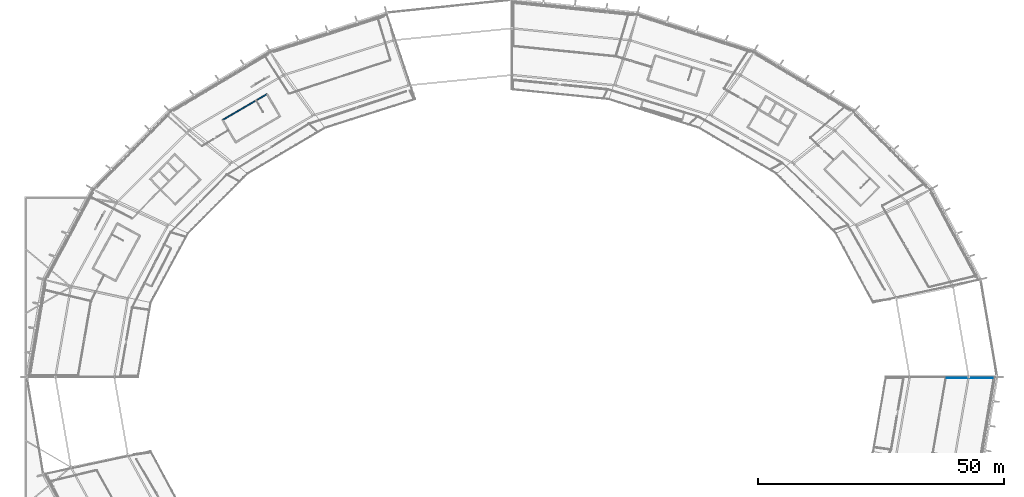
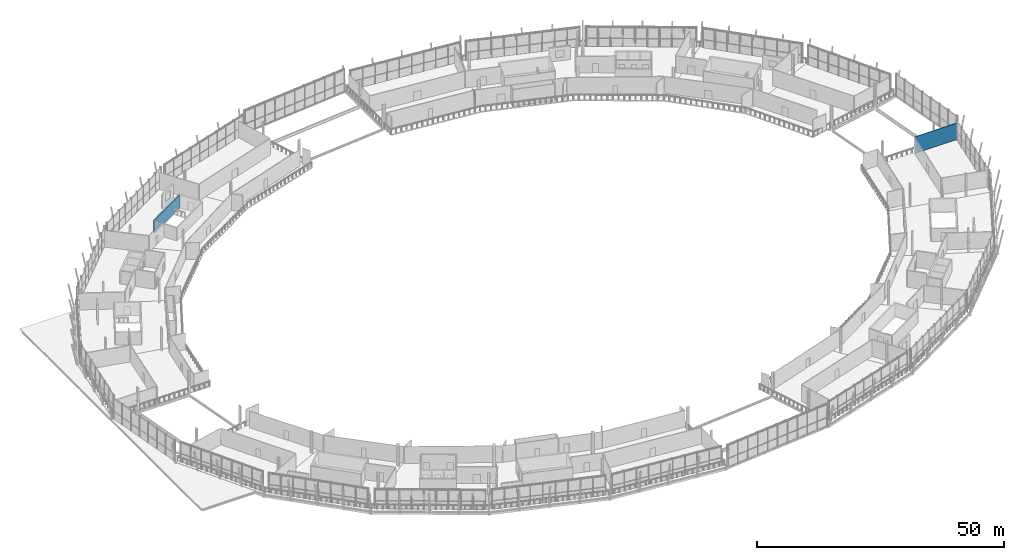
# One storey, part 90 of 99: 2 walls.
"""IFC4 building model written with IfcOpenShell, lengths in metres."""

import ifcopenshell
import ifcopenshell.guid

model = None  # the IFC model being written
_history = None  # IfcOwnerHistory: only IFC2X3 demands one
_inside = {}  # id of a spatial element -> (the spatial element, [elements in it])
_under = {}  # id of a project, library or spatial element -> (it, [spatial elements below it])
_declared = {}  # id of a project -> (the project, [libraries it declares])
_typed = {}  # id of a type object -> (the type object, [elements of that type])
_made_of = {}  # id of a material, layer set ... -> (it, [elements and type objects made of it])


def new_model(schema):
    """Start an empty IFC model of exactly this schema.

    Asked for "IFC4X3", IfcOpenShell would pick the latest addendum, in which some entities
    have other attributes; the version numbers below select the first issue.
    IFC2X3 requires an IfcOwnerHistory on every rooted entity: one is made here for all.
    """
    global model, _history
    if schema == "IFC4X3":
        model = ifcopenshell.file(schema_version=(4, 3, 0, 0))
    else:
        model = ifcopenshell.file(schema=schema)
    _inside.clear()
    _under.clear()
    _declared.clear()
    _typed.clear()
    _made_of.clear()
    _history = None
    if model.schema == "IFC2X3":
        org = make("IfcOrganization", Name="unknown")
        user = make(
            "IfcPersonAndOrganization",
            ThePerson=make("IfcPerson", FamilyName="unknown"),
            TheOrganization=org,
        )
        app = make(
            "IfcApplication",
            ApplicationDeveloper=org,
            Version="unknown",
            ApplicationFullName="unknown",
            ApplicationIdentifier="unknown",
        )
        _history = make(
            "IfcOwnerHistory",
            OwningUser=user,
            OwningApplication=app,
            ChangeAction="ADDED",
            CreationDate=0,
        )
    return model


def make(cls, **values):
    """One entity of the class cls with the attributes given. An attribute that is None is left unset."""
    return model.create_entity(
        cls, **{name: value for name, value in values.items() if value is not None}
    )


def rooted(cls, **values):
    """An entity with a GlobalId (a new one), such as an element, a storey or a relation."""
    return make(cls, GlobalId=ifcopenshell.guid.new(), OwnerHistory=_history, **values)


def si_unit(unit_type, name, prefix=None):
    """IfcSIUnit, for example si_unit("LENGTHUNIT", "METRE", prefix="MILLI")."""
    return make("IfcSIUnit", UnitType=unit_type, Prefix=prefix, Name=name)


def assignment(units):
    """IfcUnitAssignment: the units of a project."""
    return None if units is None else make("IfcUnitAssignment", Units=units)


def point(xyz):
    """IfcCartesianPoint."""
    return None if xyz is None else make("IfcCartesianPoint", Coordinates=xyz)


def direction(xyz):
    """IfcDirection."""
    return None if xyz is None else make("IfcDirection", DirectionRatios=xyz)


def frame(location, z_axis=None, x_axis=None):
    """IfcAxis2Placement3D, a coordinate frame: its origin and axes. An axis left out is left unset."""
    return make(
        "IfcAxis2Placement3D",
        Location=point(location),
        Axis=direction(z_axis),
        RefDirection=direction(x_axis),
    )


def frame_2d(location, x_axis=None):
    """IfcAxis2Placement2D, a coordinate frame in the plane: its origin and x axis."""
    return make(
        "IfcAxis2Placement2D", Location=point(location), RefDirection=direction(x_axis)
    )


def origin():
    """The frame at (0, 0, 0) with its axes left unset."""
    return frame((0.0, 0.0, 0.0))


def place(relative_to, where):
    """IfcLocalPlacement: puts the frame where relative to a parent placement (None: the world)."""
    return make(
        "IfcLocalPlacement", PlacementRelTo=relative_to, RelativePlacement=where
    )


def context(
    kind, dimensions, precision=None, world=None, true_north=None, identifier=None
):
    """IfcGeometricRepresentationContext, for example the 3D "Model" context."""
    return make(
        "IfcGeometricRepresentationContext",
        ContextIdentifier=identifier,
        ContextType=kind,
        CoordinateSpaceDimension=dimensions,
        Precision=precision,
        WorldCoordinateSystem=world,
        TrueNorth=true_north,
    )


def subcontext(parent, identifier, kind, view, scale=None):
    """IfcGeometricRepresentationSubContext, for example "Body" below "Model"."""
    return make(
        "IfcGeometricRepresentationSubContext",
        ContextIdentifier=identifier,
        ContextType=kind,
        ParentContext=parent,
        TargetScale=scale,
        TargetView=view,
    )


def project(units=None, contexts=None):
    """IfcProject with its units and contexts."""
    return rooted(
        "IfcProject",
        Name="project",
        RepresentationContexts=contexts,
        UnitsInContext=assignment(units),
    )


def spatial(cls, under=None, at=None, **own):
    """A site, building, storey or space (cls), placed at a placement, below another one or the project."""
    s = rooted(cls, ObjectPlacement=at, **own)
    if under is not None:
        _under.setdefault(under.id(), (under, []))[1].append(s)
    return s


def profile(cls, at=None, kind="AREA", **sizes):
    """A parametric profile (cls). Its sizes go by their IFC names, for example OverallWidth=200.0."""
    return make(cls, ProfileType=kind, Position=at, **sizes)


def rectangle(**sizes):
    """IfcRectangleProfileDef."""
    return profile("IfcRectangleProfileDef", **sizes)


def extrude(swept, where, along, depth):
    """IfcExtrudedAreaSolid: the profile swept, set in the frame where, extruded along a direction by depth."""
    return make(
        "IfcExtrudedAreaSolid",
        SweptArea=swept,
        Position=where,
        ExtrudedDirection=direction(along),
        Depth=depth,
    )


def shape(context_of_items, identifier, shape_type, items):
    """IfcShapeRepresentation: the items that make up one representation, for example the "Body"."""
    return make(
        "IfcShapeRepresentation",
        ContextOfItems=context_of_items,
        RepresentationIdentifier=identifier,
        RepresentationType=shape_type,
        Items=items,
    )


def material(Name=None, Category=None):
    """IfcMaterial."""
    return make("IfcMaterial", Name=Name, Category=Category)


def layer(
    of_material, thickness, ventilated=None, Name=None, Category=None, Priority=None
):
    """IfcMaterialLayer: one layer of a wall or slab, of a material (None: an air gap)."""
    return make(
        "IfcMaterialLayer",
        Material=of_material,
        LayerThickness=thickness,
        IsVentilated=ventilated,
        Name=Name,
        Category=Category,
        Priority=Priority,
    )


def layer_set(layers, Name=None):
    """IfcMaterialLayerSet."""
    return make("IfcMaterialLayerSet", MaterialLayers=layers, LayerSetName=Name)


def made_of(thing, what):
    """Note that an element or type object is made of a material, layer set ...; save() writes the relation."""
    if what is not None:
        _made_of.setdefault(what.id(), (what, []))[1].append(thing)
    return thing


def type_object(cls, material=None, **own):
    """A type object (cls), such as IfcWallType, which elements share."""
    return made_of(rooted(cls, **own), material)


def element(
    cls,
    number,
    at=None,
    inside=None,
    cuts=None,
    type_object=None,
    material=None,
    context=None,
    identifier="Body",
    shape_type=None,
    held_by="IfcProductDefinitionShape",
    body=None,
    shapes=None,
    **own,
):
    """One element of the class cls, such as IfcWall. Its Tag is "e" and its number.

    at: its placement. inside: the storey or other place that contains it. cuts: it is an
    opening in that element (IfcRelVoidsElement). A single representation is given by context,
    identifier, shape_type and body (its items); several are given by shapes. held_by: the class
    of the entity that holds the representations. save() writes the other relations.
    """
    e = rooted(cls, Tag="e%d" % number, ObjectPlacement=at, **own)
    if body is not None:
        shapes = [shape(context, identifier, shape_type, body)]
    if shapes is not None:
        e.Representation = make(held_by, Representations=shapes)
    if inside is not None:
        _inside.setdefault(inside.id(), (inside, []))[1].append(e)
    if cuts is not None:
        rooted(
            "IfcRelVoidsElement", RelatingBuildingElement=cuts, RelatedOpeningElement=e
        )
    if type_object is not None:
        _typed.setdefault(type_object.id(), (type_object, []))[1].append(e)
    return made_of(e, material)


def aggregate(whole, parts):
    """IfcRelAggregates: a whole, such as a stair, and the parts it consists of."""
    return rooted("IfcRelAggregates", RelatingObject=whole, RelatedObjects=parts)


def save(model, path):
    """Write the relations noted so far, then the file.

    IfcRelAggregates (storeys below a building ...), IfcRelContainedInSpatialStructure (elements
    in a storey), IfcRelDefinesByType, IfcRelAssociatesMaterial and IfcRelDeclares: one each for
    every whole, place, type object, material and project.
    """
    for whole, parts in _under.values():
        aggregate(whole, parts)
    for where, things in _inside.values():
        rooted(
            "IfcRelContainedInSpatialStructure",
            RelatedElements=things,
            RelatingStructure=where,
        )
    for kind, things in _typed.values():
        rooted("IfcRelDefinesByType", RelatedObjects=things, RelatingType=kind)
    for what, things in _made_of.values():
        rooted("IfcRelAssociatesMaterial", RelatedObjects=things, RelatingMaterial=what)
    for by, libraries in _declared.values():
        rooted("IfcRelDeclares", RelatingContext=by, RelatedDefinitions=libraries)
    model.write(path)


model = new_model("IFC4")

# Units and contexts
model_context = context("Model", 3, precision=1e-05, world=origin(), true_north=direction((0.0, 1.0)))
body_context = subcontext(model_context, "Body", "Model", "MODEL_VIEW")
ifc_project = project(units=[si_unit("LENGTHUNIT", "METRE"), si_unit("AREAUNIT", "SQUARE_METRE"), si_unit("VOLUMEUNIT", "CUBIC_METRE"), si_unit("PLANEANGLEUNIT", "RADIAN"), si_unit("MASSUNIT", "GRAM", prefix="KILO")], contexts=[model_context])

# Site, building, storey
site_placement = place(None, origin())
site = spatial("IfcSite", under=ifc_project, at=site_placement, CompositionType="ELEMENT")
building_placement = place(site_placement, origin())
building = spatial("IfcBuilding", under=site, at=building_placement, Name="Zlatoyarsky Gate Stadium", CompositionType="ELEMENT")
storey_placement = place(building_placement, frame((0.0, 0.0, 26.199951171875)))
storey = spatial("IfcBuildingStorey", under=building, at=storey_placement, Name="L05", CompositionType="ELEMENT", Elevation=26.199951171875)

# Walls
ifc_material_1 = material(Name="Anodised aluminium acoustic operable wall", Category="aluminium")
ifc_layer_1 = layer(ifc_material_1, 0.114990234375)
ifc_layer_set_1 = layer_set([ifc_layer_1], Name="Anodised aluminium acoustic operable wall")
wall_type_1 = type_object("IfcWallType", Name="ACOUSTIC OPERABLE SUITE WALL 115", PredefinedType="MOVABLE", material=ifc_layer_set_1)
wall_1_placement = place(storey_placement, frame((199.527587890625, 79.753662109375, 0.0), z_axis=(0.0, 0.0, 1.0), x_axis=(0.999999999677, -2.5411669e-05, 0.0)))
element("IfcWall", 1, at=wall_1_placement, inside=storey, type_object=wall_type_1, Name="L05 interior partition PRT-L05-ORD-23R", PredefinedType="MOVABLE", context=body_context, shape_type="SweptSolid", body=[
    extrude(rectangle(XDim=9.607421875, YDim=0.114990234375, at=frame_2d((4.8037109375, 0.0))), origin(), (0.0, 0.0, 1.0), 4.10009765625),
])
ifc_material_2 = material(Name="Concrete C40/50", Category="concrete")
ifc_layer_2 = layer(ifc_material_2, 0.25)
ifc_layer_set_2 = layer_set([ifc_layer_2], Name="Concrete C40/50")
wall_type_2 = type_object("IfcWallType", Name="CONCRETE STAIR CORE SHEAR WALL 250", PredefinedType="SHEAR", material=ifc_layer_set_2)
wall_2_placement = place(storey_placement, frame((61.093017578125, 137.61376953125, 0.0), z_axis=(0.0, 0.0, 1.0), x_axis=(-0.862854686184, -0.505452065513, 0.0)))
element("IfcWall", 2, at=wall_2_placement, inside=storey, type_object=wall_type_2, Name="ST-05 L05 stair core left shear wall", PredefinedType="SHEAR", context=body_context, shape_type="SweptSolid", body=[
    extrude(rectangle(XDim=10.449951171875, YDim=0.25, at=frame_2d((5.22509765625, 0.0))), origin(), (0.0, 0.0, 1.0), 3.199951171875),
])

save(model, "model.ifc")
